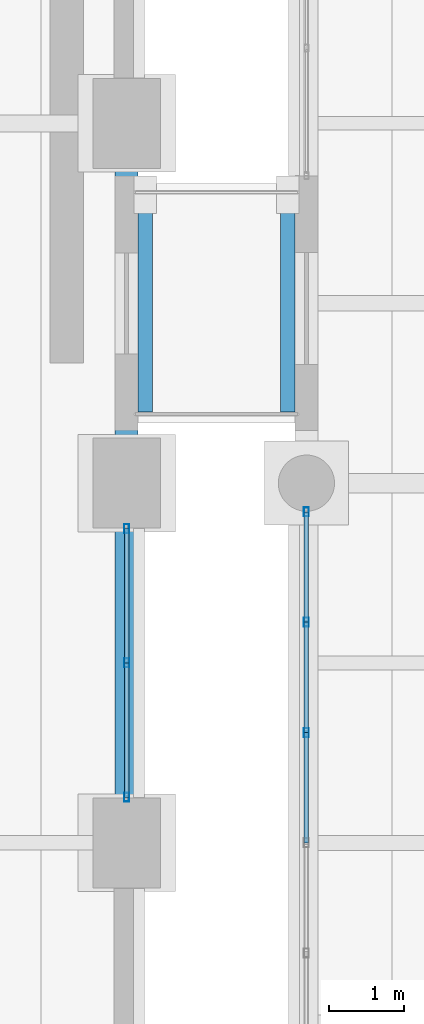
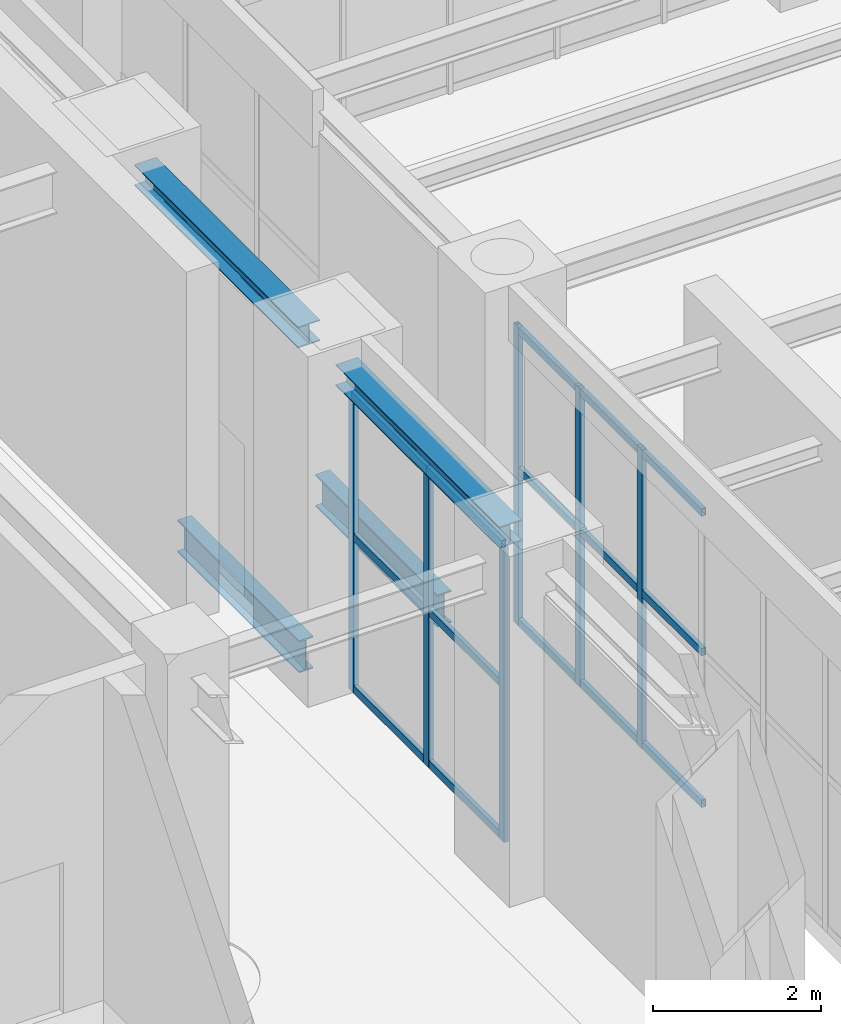
# One storey, part 39 of 174: 21 members, 4 beams, 2 elements without a shape of their own.
"""IFC4 building model written with IfcOpenShell, lengths in metres."""

import ifcopenshell
import ifcopenshell.guid

model = None  # the IFC model being written
_history = None  # IfcOwnerHistory: only IFC2X3 demands one
_inside = {}  # id of a spatial element -> (the spatial element, [elements in it])
_under = {}  # id of a project, library or spatial element -> (it, [spatial elements below it])
_declared = {}  # id of a project -> (the project, [libraries it declares])
_typed = {}  # id of a type object -> (the type object, [elements of that type])
_made_of = {}  # id of a material, layer set ... -> (it, [elements and type objects made of it])


def new_model(schema):
    """Start an empty IFC model of exactly this schema.

    Asked for "IFC4X3", IfcOpenShell would pick the latest addendum, in which some entities
    have other attributes; the version numbers below select the first issue.
    IFC2X3 requires an IfcOwnerHistory on every rooted entity: one is made here for all.
    """
    global model, _history
    if schema == "IFC4X3":
        model = ifcopenshell.file(schema_version=(4, 3, 0, 0))
    else:
        model = ifcopenshell.file(schema=schema)
    _inside.clear()
    _under.clear()
    _declared.clear()
    _typed.clear()
    _made_of.clear()
    _history = None
    if model.schema == "IFC2X3":
        org = make("IfcOrganization", Name="unknown")
        user = make(
            "IfcPersonAndOrganization",
            ThePerson=make("IfcPerson", FamilyName="unknown"),
            TheOrganization=org,
        )
        app = make(
            "IfcApplication",
            ApplicationDeveloper=org,
            Version="unknown",
            ApplicationFullName="unknown",
            ApplicationIdentifier="unknown",
        )
        _history = make(
            "IfcOwnerHistory",
            OwningUser=user,
            OwningApplication=app,
            ChangeAction="ADDED",
            CreationDate=0,
        )
    return model


def make(cls, **values):
    """One entity of the class cls with the attributes given. An attribute that is None is left unset."""
    return model.create_entity(
        cls, **{name: value for name, value in values.items() if value is not None}
    )


def rooted(cls, **values):
    """An entity with a GlobalId (a new one), such as an element, a storey or a relation."""
    return make(cls, GlobalId=ifcopenshell.guid.new(), OwnerHistory=_history, **values)


def si_unit(unit_type, name, prefix=None):
    """IfcSIUnit, for example si_unit("LENGTHUNIT", "METRE", prefix="MILLI")."""
    return make("IfcSIUnit", UnitType=unit_type, Prefix=prefix, Name=name)


def assignment(units):
    """IfcUnitAssignment: the units of a project."""
    return None if units is None else make("IfcUnitAssignment", Units=units)


def point(xyz):
    """IfcCartesianPoint."""
    return None if xyz is None else make("IfcCartesianPoint", Coordinates=xyz)


def direction(xyz):
    """IfcDirection."""
    return None if xyz is None else make("IfcDirection", DirectionRatios=xyz)


def frame(location, z_axis=None, x_axis=None):
    """IfcAxis2Placement3D, a coordinate frame: its origin and axes. An axis left out is left unset."""
    return make(
        "IfcAxis2Placement3D",
        Location=point(location),
        Axis=direction(z_axis),
        RefDirection=direction(x_axis),
    )


def frame_2d(location, x_axis=None):
    """IfcAxis2Placement2D, a coordinate frame in the plane: its origin and x axis."""
    return make(
        "IfcAxis2Placement2D", Location=point(location), RefDirection=direction(x_axis)
    )


def origin():
    """The frame at (0, 0, 0) with its axes left unset."""
    return frame((0.0, 0.0, 0.0))


def origin_2d():
    """The frame at (0, 0) in the plane with its x axis left unset."""
    return frame_2d((0.0, 0.0))


def place(relative_to, where):
    """IfcLocalPlacement: puts the frame where relative to a parent placement (None: the world)."""
    return make(
        "IfcLocalPlacement", PlacementRelTo=relative_to, RelativePlacement=where
    )


def context(
    kind, dimensions, precision=None, world=None, true_north=None, identifier=None
):
    """IfcGeometricRepresentationContext, for example the 3D "Model" context."""
    return make(
        "IfcGeometricRepresentationContext",
        ContextIdentifier=identifier,
        ContextType=kind,
        CoordinateSpaceDimension=dimensions,
        Precision=precision,
        WorldCoordinateSystem=world,
        TrueNorth=true_north,
    )


def subcontext(parent, identifier, kind, view, scale=None):
    """IfcGeometricRepresentationSubContext, for example "Body" below "Model"."""
    return make(
        "IfcGeometricRepresentationSubContext",
        ContextIdentifier=identifier,
        ContextType=kind,
        ParentContext=parent,
        TargetScale=scale,
        TargetView=view,
    )


def project(units=None, contexts=None):
    """IfcProject with its units and contexts."""
    return rooted(
        "IfcProject",
        Name="project",
        RepresentationContexts=contexts,
        UnitsInContext=assignment(units),
    )


def spatial(cls, under=None, at=None, **own):
    """A site, building, storey or space (cls), placed at a placement, below another one or the project."""
    s = rooted(cls, ObjectPlacement=at, **own)
    if under is not None:
        _under.setdefault(under.id(), (under, []))[1].append(s)
    return s


def profile(cls, at=None, kind="AREA", **sizes):
    """A parametric profile (cls). Its sizes go by their IFC names, for example OverallWidth=200.0."""
    return make(cls, ProfileType=kind, Position=at, **sizes)


def hollow_rectangle(**sizes):
    """IfcRectangleHollowProfileDef."""
    return profile("IfcRectangleHollowProfileDef", **sizes)


def i_section(**sizes):
    """IfcIShapeProfileDef."""
    return profile("IfcIShapeProfileDef", **sizes)


def extrude(swept, where, along, depth):
    """IfcExtrudedAreaSolid: the profile swept, set in the frame where, extruded along a direction by depth."""
    return make(
        "IfcExtrudedAreaSolid",
        SweptArea=swept,
        Position=where,
        ExtrudedDirection=direction(along),
        Depth=depth,
    )


def shape(context_of_items, identifier, shape_type, items):
    """IfcShapeRepresentation: the items that make up one representation, for example the "Body"."""
    return make(
        "IfcShapeRepresentation",
        ContextOfItems=context_of_items,
        RepresentationIdentifier=identifier,
        RepresentationType=shape_type,
        Items=items,
    )


def material(Name=None, Category=None):
    """IfcMaterial."""
    return make("IfcMaterial", Name=Name, Category=Category)


def material_profile(
    of_material, cross_section, Name=None, Category=None, Priority=None
):
    """IfcMaterialProfile: a cross section and its material."""
    return make(
        "IfcMaterialProfile",
        Name=Name,
        Material=of_material,
        Profile=cross_section,
        Priority=Priority,
        Category=Category,
    )


def profile_set(profiles, Name=None, composite=None):
    """IfcMaterialProfileSet."""
    return make(
        "IfcMaterialProfileSet",
        Name=Name,
        MaterialProfiles=profiles,
        CompositeProfile=composite,
    )


def made_of(thing, what):
    """Note that an element or type object is made of a material, layer set ...; save() writes the relation."""
    if what is not None:
        _made_of.setdefault(what.id(), (what, []))[1].append(thing)
    return thing


def type_object(cls, material=None, **own):
    """A type object (cls), such as IfcWallType, which elements share."""
    return made_of(rooted(cls, **own), material)


def element(
    cls,
    number,
    at=None,
    inside=None,
    cuts=None,
    type_object=None,
    material=None,
    context=None,
    identifier="Body",
    shape_type=None,
    held_by="IfcProductDefinitionShape",
    body=None,
    shapes=None,
    **own,
):
    """One element of the class cls, such as IfcWall. Its Tag is "e" and its number.

    at: its placement. inside: the storey or other place that contains it. cuts: it is an
    opening in that element (IfcRelVoidsElement). A single representation is given by context,
    identifier, shape_type and body (its items); several are given by shapes. held_by: the class
    of the entity that holds the representations. save() writes the other relations.
    """
    e = rooted(cls, Tag="e%d" % number, ObjectPlacement=at, **own)
    if body is not None:
        shapes = [shape(context, identifier, shape_type, body)]
    if shapes is not None:
        e.Representation = make(held_by, Representations=shapes)
    if inside is not None:
        _inside.setdefault(inside.id(), (inside, []))[1].append(e)
    if cuts is not None:
        rooted(
            "IfcRelVoidsElement", RelatingBuildingElement=cuts, RelatedOpeningElement=e
        )
    if type_object is not None:
        _typed.setdefault(type_object.id(), (type_object, []))[1].append(e)
    return made_of(e, material)


def aggregate(whole, parts):
    """IfcRelAggregates: a whole, such as a stair, and the parts it consists of."""
    return rooted("IfcRelAggregates", RelatingObject=whole, RelatedObjects=parts)


def save(model, path):
    """Write the relations noted so far, then the file.

    IfcRelAggregates (storeys below a building ...), IfcRelContainedInSpatialStructure (elements
    in a storey), IfcRelDefinesByType, IfcRelAssociatesMaterial and IfcRelDeclares: one each for
    every whole, place, type object, material and project.
    """
    for whole, parts in _under.values():
        aggregate(whole, parts)
    for where, things in _inside.values():
        rooted(
            "IfcRelContainedInSpatialStructure",
            RelatedElements=things,
            RelatingStructure=where,
        )
    for kind, things in _typed.values():
        rooted("IfcRelDefinesByType", RelatedObjects=things, RelatingType=kind)
    for what, things in _made_of.values():
        rooted("IfcRelAssociatesMaterial", RelatedObjects=things, RelatingMaterial=what)
    for by, libraries in _declared.values():
        rooted("IfcRelDeclares", RelatingContext=by, RelatedDefinitions=libraries)
    model.write(path)


model = new_model("IFC4")

# Units and contexts
model_context = context("Model", 3, precision=1e-05, world=origin(), true_north=direction((0.0, 1.0)))
body_context = subcontext(model_context, "Body", "Model", "MODEL_VIEW")
ifc_project = project(units=[si_unit("LENGTHUNIT", "METRE"), si_unit("AREAUNIT", "SQUARE_METRE"), si_unit("VOLUMEUNIT", "CUBIC_METRE"), si_unit("PLANEANGLEUNIT", "RADIAN"), si_unit("MASSUNIT", "GRAM", prefix="KILO")], contexts=[model_context])

# Site, building, storey
site_placement = place(None, origin())
site = spatial("IfcSite", under=ifc_project, at=site_placement, CompositionType="ELEMENT")
building_placement = place(site_placement, origin())
building = spatial("IfcBuilding", under=site, at=building_placement, Name="Mavantir Sound Aquarium", CompositionType="ELEMENT")
storey_placement = place(building_placement, frame((0.0, 0.0, 5.39990234375)))
storey = spatial("IfcBuildingStorey", under=building, at=storey_placement, Name="L01", CompositionType="ELEMENT", Elevation=5.39990234375)

# Beams
ifc_material_1 = material(Name="Structural Steel ASTM A992 Gr50", Category="steel")
ifc_material_profile_1 = material_profile(ifc_material_1, i_section(OverallWidth=0.304931640625, OverallDepth=0.30810546875, WebThickness=0.010009765625, FlangeThickness=0.015380859375, FilletRadius=0.014892578125, at=origin_2d()), Name="W310X97")
ifc_profile_set_1 = profile_set([ifc_material_profile_1], Name="Structural Steel ASTM A992 Gr50")
beam_type_1 = type_object("IfcBeamType", Name="BM-W310X97-E", PredefinedType="SPANDREL", material=ifc_profile_set_1)
for number, where, z_axis, x_axis, name in (
    (1, (33.60009765625, 55.64990234375, 4.5419921875), (0.0, 1.0, 0.0), (-1.0, 0.0, 0.0), "L01 primary girder SS-31A 1177"),
    (2, (33.60009765625, 60.449951171875, 4.5419921875), (0.0, 1.0, 0.0), (-1.0, 0.0, 0.0), "L01 primary girder SS-31A 1178"),
):
    element("IfcBeam", number, at=place(storey_placement, frame(where, z_axis=z_axis, x_axis=x_axis)), inside=storey, type_object=beam_type_1, Name=name, PredefinedType="SPANDREL", context=body_context, shape_type="SweptSolid", body=[
        extrude(i_section(OverallWidth=0.304931640625, OverallDepth=0.30810546875, WebThickness=0.010009765625, FlangeThickness=0.015380859375, FilletRadius=0.014892578125, at=origin_2d()), origin(), (0.0, 0.0, 1.0), 3.900146484375),
    ])
ifc_material_profile_2 = material_profile(ifc_material_1, i_section(OverallWidth=0.194091796875, OverallDepth=0.468994140625, WebThickness=0.0126953125, FlangeThickness=0.0205078125, FilletRadius=0.01611328125, at=origin_2d()), Name="W460X106")
ifc_profile_set_2 = profile_set([ifc_material_profile_2], Name="Structural Steel ASTM A992 Gr50")
beam_type_2 = type_object("IfcBeamType", Name="BM-W460X106-E", PredefinedType="BEAM", material=ifc_profile_set_2)
for number, where, z_axis, x_axis, name in (
    (3, (33.85009765625, 60.949951171875, -0.514404296875), (0.0, 1.0, 0.0), (-1.0, 0.0, 0.0), "Slide-bearing link bridge girder 1.1"),
    (4, (35.75, 60.949951171875, -0.514404296875), (0.0, 1.0, 0.0), (-1.0, 0.0, 0.0), "Slide-bearing link bridge girder 1.2"),
):
    element("IfcBeam", number, at=place(storey_placement, frame(where, z_axis=z_axis, x_axis=x_axis)), inside=storey, type_object=beam_type_2, Name=name, PredefinedType="BEAM", context=body_context, shape_type="SweptSolid", body=[
        extrude(i_section(OverallWidth=0.194091796875, OverallDepth=0.468994140625, WebThickness=0.0126953125, FlangeThickness=0.0205078125, FilletRadius=0.01611328125, at=origin_2d()), origin(), (0.0, 0.0, 1.0), 2.900146484375),
    ])

# Curtain wall, members
ifc_material_2 = material(Name="Anodised Marine Aluminium and Low-E Glass", Category="aluminium")
curtain_wall_type_1 = type_object("IfcCurtainWallType", Name="CW-T06", PredefinedType="USERDEFINED", material=ifc_material_2)
curtain_wall_1_placement = place(storey_placement, origin())
curtain_wall_1 = element("IfcCurtainWall", 5, at=curtain_wall_1_placement, inside=storey, type_object=curtain_wall_type_1, Name="L01 unitised curtain wall CW-06 54", ObjectType="UNITISED GLAZING", PredefinedType="USERDEFINED")
ifc_material_3 = material(Name="Anodised Marine Aluminium 6063-T6", Category="aluminium")
ifc_material_profile_3 = material_profile(ifc_material_3, hollow_rectangle(XDim=0.06494140625, YDim=0.1201171875, WallThickness=0.00390625, at=origin_2d()), Name="ALU-MULLION-120X65")
ifc_profile_set_3 = profile_set([ifc_material_profile_3], Name="Anodised Marine Aluminium 6063-T6")
member_type_1 = type_object("IfcMemberType", Name="CW-MUL-120", PredefinedType="MULLION", material=ifc_profile_set_3)
member_1_placement = place(storey_placement, frame((33.60009765625, 55.80810546875, 0.0), z_axis=(0.0, 0.0, 1.0), x_axis=(1.0, 0.0, 0.0)))
member_1 = element("IfcMember", 6, at=member_1_placement, type_object=member_type_1, Name="CW-L01-054 vertical mullion 1", PredefinedType="MULLION", context=body_context, shape_type="SweptSolid", body=[
    extrude(hollow_rectangle(XDim=0.06494140625, YDim=0.1201171875, WallThickness=0.00390625, at=origin_2d()), origin(), (0.0, 0.0, 1.0), 4.358154296875),
])
member_2_placement = place(storey_placement, frame((33.60009765625, 57.60009765625, 0.0), z_axis=(0.0, 0.0, 1.0), x_axis=(1.0, 0.0, 0.0)))
member_2 = element("IfcMember", 7, at=member_2_placement, type_object=member_type_1, Name="CW-L01-054 vertical mullion 2", PredefinedType="MULLION", context=body_context, shape_type="SweptSolid", body=[
    extrude(hollow_rectangle(XDim=0.06494140625, YDim=0.1201171875, WallThickness=0.00390625, at=origin_2d()), origin(), (0.0, 0.0, 1.0), 4.358154296875),
])
member_3_placement = place(storey_placement, frame((33.60009765625, 59.39208984375, 0.0), z_axis=(0.0, 0.0, 1.0), x_axis=(1.0, 0.0, 0.0)))
member_3 = element("IfcMember", 8, at=member_3_placement, type_object=member_type_1, Name="CW-L01-054 vertical mullion 3", PredefinedType="MULLION", context=body_context, shape_type="SweptSolid", body=[
    extrude(hollow_rectangle(XDim=0.06494140625, YDim=0.1201171875, WallThickness=0.00390625, at=origin_2d()), origin(), (0.0, 0.0, 1.0), 4.358154296875),
])

curtain_wall_type_2 = type_object("IfcCurtainWallType", Name="CW-T14", PredefinedType="USERDEFINED", material=ifc_material_2)
curtain_wall_2_placement = place(storey_placement, origin())
curtain_wall_2 = element("IfcCurtainWall", 9, at=curtain_wall_2_placement, inside=storey, type_object=curtain_wall_type_2, Name="L01 unitised curtain wall CW-14 62", ObjectType="UNITISED GLAZING", PredefinedType="USERDEFINED")
member_4_placement = place(storey_placement, frame((36.0, 59.616943359375, 0.0), z_axis=(0.0, 0.0, 1.0), x_axis=(1.0, 0.0, 0.0)))
member_4 = element("IfcMember", 10, at=member_4_placement, type_object=member_type_1, Name="CW-L01-062 vertical mullion 1", PredefinedType="MULLION", context=body_context, shape_type="SweptSolid", body=[
    extrude(hollow_rectangle(XDim=0.06494140625, YDim=0.1201171875, WallThickness=0.00390625, at=origin_2d()), origin(), (0.0, 0.0, 1.0), 4.34912109375),
])
member_5_placement = place(storey_placement, frame((36.0, 58.144775390625, 0.0), z_axis=(0.0, 0.0, 1.0), x_axis=(1.0, 0.0, 0.0)))
member_5 = element("IfcMember", 11, at=member_5_placement, type_object=member_type_1, Name="CW-L01-062 vertical mullion 2", PredefinedType="MULLION", context=body_context, shape_type="SweptSolid", body=[
    extrude(hollow_rectangle(XDim=0.06494140625, YDim=0.1201171875, WallThickness=0.00390625, at=origin_2d()), origin(), (0.0, 0.0, 1.0), 4.34912109375),
])
member_6_placement = place(storey_placement, frame((36.0, 56.67236328125, 0.0), z_axis=(0.0, 0.0, 1.0), x_axis=(1.0, 0.0, 0.0)))
member_6 = element("IfcMember", 12, at=member_6_placement, type_object=member_type_1, Name="CW-L01-062 vertical mullion 3", PredefinedType="MULLION", context=body_context, shape_type="SweptSolid", body=[
    extrude(hollow_rectangle(XDim=0.06494140625, YDim=0.1201171875, WallThickness=0.00390625, at=origin_2d()), origin(), (0.0, 0.0, 1.0), 4.34912109375),
])

# Member
ifc_material_profile_4 = material_profile(ifc_material_3, hollow_rectangle(XDim=0.06005859375, YDim=0.110107421875, WallThickness=0.00390625, at=origin_2d()), Name="ALU-TRANSOM-110X60")
ifc_profile_set_4 = profile_set([ifc_material_profile_4], Name="Anodised Marine Aluminium 6063-T6")
member_type_2 = type_object("IfcMemberType", Name="CW-TRN-110", PredefinedType="USERDEFINED", material=ifc_profile_set_4)
member_7_placement = place(storey_placement, frame((33.60009765625, 55.80810546875, 0.05517578125), z_axis=(0.0, 1.0, 0.0), x_axis=(-1.0, 0.0, 0.0)))
member_7 = element("IfcMember", 13, at=member_7_placement, type_object=member_type_2, Name="CW-L01-054 transom 1.1", ObjectType="TRANSOM", PredefinedType="USERDEFINED", context=body_context, shape_type="SweptSolid", body=[
    extrude(hollow_rectangle(XDim=0.06005859375, YDim=0.110107421875, WallThickness=0.00390625, at=origin_2d()), origin(), (0.0, 0.0, 1.0), 1.7919921875),
])

member_8_placement = place(storey_placement, frame((33.60009765625, 55.80810546875, 2.266357421875), z_axis=(0.0, 1.0, 0.0), x_axis=(-1.0, 0.0, 0.0)))
member_8 = element("IfcMember", 14, at=member_8_placement, type_object=member_type_2, Name="CW-L01-054 transom 1.2", ObjectType="TRANSOM", PredefinedType="USERDEFINED", context=body_context, shape_type="SweptSolid", body=[
    extrude(hollow_rectangle(XDim=0.06005859375, YDim=0.110107421875, WallThickness=0.00390625, at=origin_2d()), origin(), (0.0, 0.0, 1.0), 1.7919921875),
])

member_9_placement = place(storey_placement, frame((33.60009765625, 55.80810546875, 4.302978515625), z_axis=(0.0, 1.0, 0.0), x_axis=(-1.0, 0.0, 0.0)))
member_9 = element("IfcMember", 15, at=member_9_placement, type_object=member_type_2, Name="CW-L01-054 transom 1.3", ObjectType="TRANSOM", PredefinedType="USERDEFINED", context=body_context, shape_type="SweptSolid", body=[
    extrude(hollow_rectangle(XDim=0.06005859375, YDim=0.110107421875, WallThickness=0.00390625, at=origin_2d()), origin(), (0.0, 0.0, 1.0), 1.7919921875),
])

member_10_placement = place(storey_placement, frame((33.60009765625, 57.60009765625, 0.05517578125), z_axis=(0.0, 1.0, 0.0), x_axis=(-1.0, 0.0, 0.0)))
member_10 = element("IfcMember", 16, at=member_10_placement, type_object=member_type_2, Name="CW-L01-054 transom 2.1", ObjectType="TRANSOM", PredefinedType="USERDEFINED", context=body_context, shape_type="SweptSolid", body=[
    extrude(hollow_rectangle(XDim=0.06005859375, YDim=0.110107421875, WallThickness=0.00390625, at=origin_2d()), origin(), (0.0, 0.0, 1.0), 1.7919921875),
])

member_11_placement = place(storey_placement, frame((33.60009765625, 57.60009765625, 2.266357421875), z_axis=(0.0, 1.0, 0.0), x_axis=(-1.0, 0.0, 0.0)))
member_11 = element("IfcMember", 17, at=member_11_placement, type_object=member_type_2, Name="CW-L01-054 transom 2.2", ObjectType="TRANSOM", PredefinedType="USERDEFINED", context=body_context, shape_type="SweptSolid", body=[
    extrude(hollow_rectangle(XDim=0.06005859375, YDim=0.110107421875, WallThickness=0.00390625, at=origin_2d()), origin(), (0.0, 0.0, 1.0), 1.7919921875),
])

member_12_placement = place(storey_placement, frame((33.60009765625, 57.60009765625, 4.302978515625), z_axis=(0.0, 1.0, 0.0), x_axis=(-1.0, 0.0, 0.0)))
member_12 = element("IfcMember", 18, at=member_12_placement, type_object=member_type_2, Name="CW-L01-054 transom 2.3", ObjectType="TRANSOM", PredefinedType="USERDEFINED", context=body_context, shape_type="SweptSolid", body=[
    extrude(hollow_rectangle(XDim=0.06005859375, YDim=0.110107421875, WallThickness=0.00390625, at=origin_2d()), origin(), (0.0, 0.0, 1.0), 1.7919921875),
])

aggregate(curtain_wall_1, [member_1, member_2, member_3, member_7, member_8, member_9, member_10, member_11, member_12])

member_13_placement = place(storey_placement, frame((36.0, 59.616943359375, 0.05517578125), z_axis=(0.0, -1.0, 0.0), x_axis=(1.0, 0.0, 0.0)))
member_13 = element("IfcMember", 19, at=member_13_placement, type_object=member_type_2, Name="CW-L01-062 transom 1.1", ObjectType="TRANSOM", PredefinedType="USERDEFINED", context=body_context, shape_type="SweptSolid", body=[
    extrude(hollow_rectangle(XDim=0.06005859375, YDim=0.110107421875, WallThickness=0.00390625, at=origin_2d()), origin(), (0.0, 0.0, 1.0), 1.47216796875),
])

member_14_placement = place(storey_placement, frame((36.0, 59.616943359375, 2.26171875), z_axis=(0.0, -1.0, 0.0), x_axis=(1.0, 0.0, 0.0)))
member_14 = element("IfcMember", 20, at=member_14_placement, type_object=member_type_2, Name="CW-L01-062 transom 1.2", ObjectType="TRANSOM", PredefinedType="USERDEFINED", context=body_context, shape_type="SweptSolid", body=[
    extrude(hollow_rectangle(XDim=0.06005859375, YDim=0.110107421875, WallThickness=0.00390625, at=origin_2d()), origin(), (0.0, 0.0, 1.0), 1.47216796875),
])

member_15_placement = place(storey_placement, frame((36.0, 59.616943359375, 4.294189453125), z_axis=(0.0, -1.0, 0.0), x_axis=(1.0, 0.0, 0.0)))
member_15 = element("IfcMember", 21, at=member_15_placement, type_object=member_type_2, Name="CW-L01-062 transom 1.3", ObjectType="TRANSOM", PredefinedType="USERDEFINED", context=body_context, shape_type="SweptSolid", body=[
    extrude(hollow_rectangle(XDim=0.06005859375, YDim=0.110107421875, WallThickness=0.00390625, at=origin_2d()), origin(), (0.0, 0.0, 1.0), 1.47216796875),
])

member_16_placement = place(storey_placement, frame((36.0, 58.144775390625, 0.05517578125), z_axis=(0.0, -1.0, 0.0), x_axis=(1.0, 0.0, 0.0)))
member_16 = element("IfcMember", 22, at=member_16_placement, type_object=member_type_2, Name="CW-L01-062 transom 2.1", ObjectType="TRANSOM", PredefinedType="USERDEFINED", context=body_context, shape_type="SweptSolid", body=[
    extrude(hollow_rectangle(XDim=0.06005859375, YDim=0.110107421875, WallThickness=0.00390625, at=origin_2d()), origin(), (0.0, 0.0, 1.0), 1.472412109375),
])

member_17_placement = place(storey_placement, frame((36.0, 58.144775390625, 2.26171875), z_axis=(0.0, -1.0, 0.0), x_axis=(1.0, 0.0, 0.0)))
member_17 = element("IfcMember", 23, at=member_17_placement, type_object=member_type_2, Name="CW-L01-062 transom 2.2", ObjectType="TRANSOM", PredefinedType="USERDEFINED", context=body_context, shape_type="SweptSolid", body=[
    extrude(hollow_rectangle(XDim=0.06005859375, YDim=0.110107421875, WallThickness=0.00390625, at=origin_2d()), origin(), (0.0, 0.0, 1.0), 1.472412109375),
])

member_18_placement = place(storey_placement, frame((36.0, 58.144775390625, 4.294189453125), z_axis=(0.0, -1.0, 0.0), x_axis=(1.0, 0.0, 0.0)))
member_18 = element("IfcMember", 24, at=member_18_placement, type_object=member_type_2, Name="CW-L01-062 transom 2.3", ObjectType="TRANSOM", PredefinedType="USERDEFINED", context=body_context, shape_type="SweptSolid", body=[
    extrude(hollow_rectangle(XDim=0.06005859375, YDim=0.110107421875, WallThickness=0.00390625, at=origin_2d()), origin(), (0.0, 0.0, 1.0), 1.472412109375),
])

member_19_placement = place(storey_placement, frame((36.0, 56.67236328125, 0.05517578125), z_axis=(0.0, -1.0, 0.0), x_axis=(1.0, 0.0, 0.0)))
member_19 = element("IfcMember", 25, at=member_19_placement, type_object=member_type_2, Name="CW-L01-062 transom 3.1", ObjectType="TRANSOM", PredefinedType="USERDEFINED", context=body_context, shape_type="SweptSolid", body=[
    extrude(hollow_rectangle(XDim=0.06005859375, YDim=0.110107421875, WallThickness=0.00390625, at=origin_2d()), origin(), (0.0, 0.0, 1.0), 1.472412109375),
])

member_20_placement = place(storey_placement, frame((36.0, 56.67236328125, 2.26171875), z_axis=(0.0, -1.0, 0.0), x_axis=(1.0, 0.0, 0.0)))
member_20 = element("IfcMember", 26, at=member_20_placement, type_object=member_type_2, Name="CW-L01-062 transom 3.2", ObjectType="TRANSOM", PredefinedType="USERDEFINED", context=body_context, shape_type="SweptSolid", body=[
    extrude(hollow_rectangle(XDim=0.06005859375, YDim=0.110107421875, WallThickness=0.00390625, at=origin_2d()), origin(), (0.0, 0.0, 1.0), 1.472412109375),
])

member_21_placement = place(storey_placement, frame((36.0, 56.67236328125, 4.294189453125), z_axis=(0.0, -1.0, 0.0), x_axis=(1.0, 0.0, 0.0)))
member_21 = element("IfcMember", 27, at=member_21_placement, type_object=member_type_2, Name="CW-L01-062 transom 3.3", ObjectType="TRANSOM", PredefinedType="USERDEFINED", context=body_context, shape_type="SweptSolid", body=[
    extrude(hollow_rectangle(XDim=0.06005859375, YDim=0.110107421875, WallThickness=0.00390625, at=origin_2d()), origin(), (0.0, 0.0, 1.0), 1.472412109375),
])

aggregate(curtain_wall_2, [member_4, member_5, member_6, member_13, member_14, member_15, member_16, member_17, member_18, member_19, member_20, member_21])

save(model, "model.ifc")
